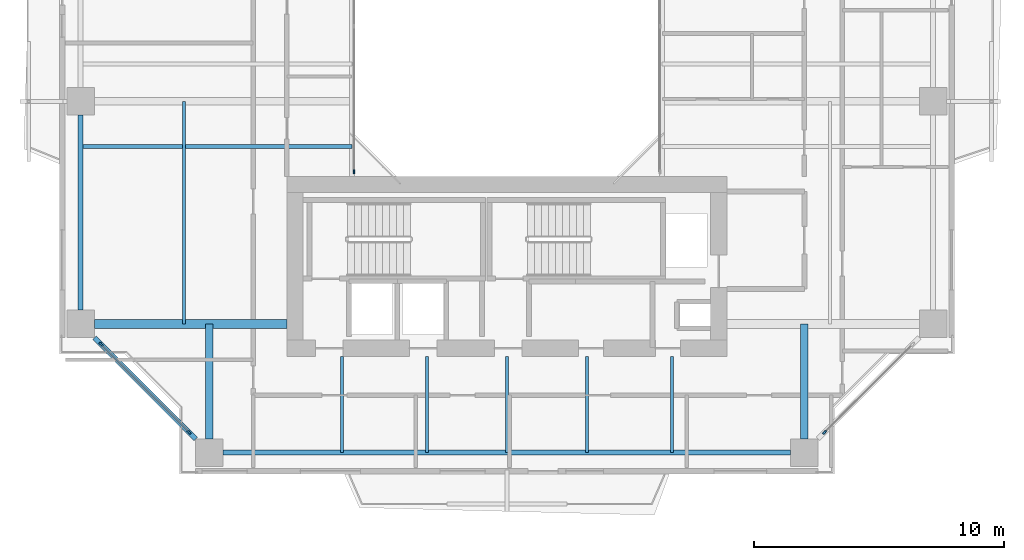
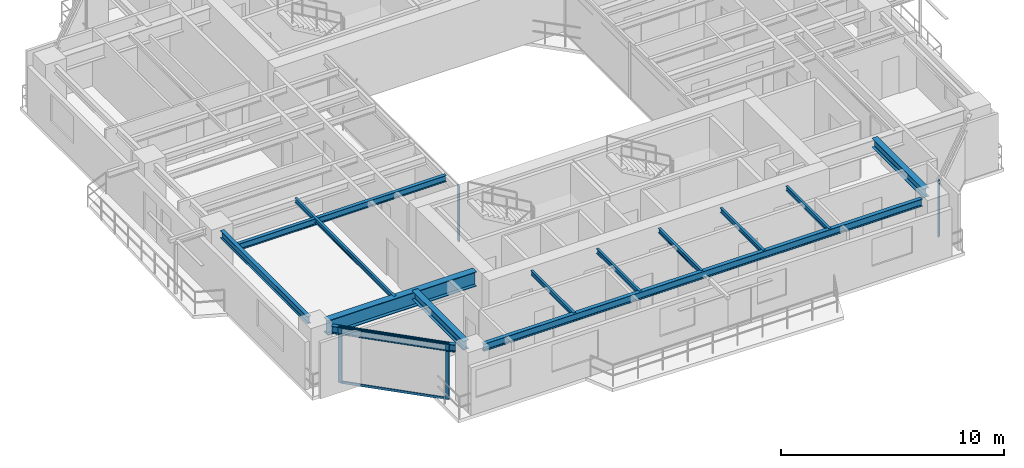
# One storey, part 2 of 17: 13 beams, 6 members, 3 elements without a shape of their own.
"""IFC4 building model written with IfcOpenShell, lengths in metres."""

from ifc_helpers import new_model, si_unit, direction, frame, origin, origin_2d, place, context, subcontext, project, spatial, rectangle, i_section, extrude, source, transform, mapped, material, layer, layer_set, material_profile, profile_set, type_object, element, aggregate, save


model = new_model("IFC4")

# Units and contexts
model_context = context("Model", 3, precision=1e-05, world=origin(), true_north=direction((0.0, 1.0)))
body_context = subcontext(model_context, "Body", "Model", "MODEL_VIEW")
ifc_project = project(units=[si_unit("LENGTHUNIT", "METRE"), si_unit("AREAUNIT", "SQUARE_METRE"), si_unit("VOLUMEUNIT", "CUBIC_METRE"), si_unit("PLANEANGLEUNIT", "RADIAN"), si_unit("MASSUNIT", "GRAM", prefix="KILO"), si_unit("THERMODYNAMICTEMPERATUREUNIT", "KELVIN"), si_unit("POWERUNIT", "WATT")], contexts=[model_context])

# Site, building, storey
site_placement = place(None, origin())
site = spatial("IfcSite", under=ifc_project, at=site_placement, CompositionType="ELEMENT")
building_placement = place(site_placement, origin())
building = spatial("IfcBuilding", under=site, at=building_placement, Name="Qiaomeng Ring Towers", CompositionType="ELEMENT")
storey_placement = place(building_placement, frame((0.0, 0.0, 116.5)))
storey = spatial("IfcBuildingStorey", under=building, at=storey_placement, Name="L33", CompositionType="ELEMENT", Elevation=116.5)

# Beams
ifc_material_1 = material(Name="Steel Q355B", Category="steel")
ifc_material_profile_1 = material_profile(ifc_material_1, i_section(OverallWidth=0.199951171875, OverallDepth=0.39990234375, WebThickness=0.008056640625, FlangeThickness=0.012939453125, FilletRadius=0.01611328125, at=origin_2d()), Name="HN 400x200x8x13")
ifc_profile_set_1 = profile_set([ifc_material_profile_1], Name="Steel Q355B")
beam_type_1 = type_object("IfcBeamType", Name="STR-BM-HN400", PredefinedType="SPANDREL", material=ifc_profile_set_1)
shared_shape_1 = source(origin(), body_context, "Body", "SweptSolid", [
    extrude(i_section(OverallWidth=0.199951171875, OverallDepth=0.39990234375, WebThickness=0.008056640625, FlangeThickness=0.012939453125, FilletRadius=0.01611328125, at=origin_2d()), origin(), (0.0, 0.0, 1.0), 22.7021484375),
])
beam_1_placement = place(storey_placement, frame((7.64892578125, 5.949951171875, 2.8701171875), z_axis=(1.0, 0.0, 0.0), x_axis=(0.0, 1.0, 0.0)))
element("IfcBeam", 1, at=beam_1_placement, inside=storey, type_object=beam_type_1, Name="L33 beam STR-SP-L33-T1-S1-S2", PredefinedType="SPANDREL", context=body_context, shape_type="MappedRepresentation", body=[
    mapped(shared_shape_1, transform((0.0, 0.0, 0.0), x_axis=(1.0, 0.0, 0.0), y_axis=(0.0, 1.0, 0.0), z_axis=(0.0, 0.0, 1.0), scale=1.0)),
])
shared_shape_2 = source(origin(), body_context, "Body", "SweptSolid", [
    extrude(i_section(OverallWidth=0.199951171875, OverallDepth=0.39990234375, WebThickness=0.008056640625, FlangeThickness=0.012939453125, FilletRadius=0.01611328125, at=origin_2d()), origin(), (0.0, 0.0, 1.0), 5.729736328125),
])
beam_2_placement = place(storey_placement, frame((2.499267578125, 10.55078125, 2.8701171875), z_axis=(0.707106781187, -0.707106781187, 0.0), x_axis=(0.707106781187, 0.707106781187, 0.0)))
element("IfcBeam", 2, at=beam_2_placement, inside=storey, type_object=beam_type_1, Name="L33 beam STR-SP-L33-T1-W1-S1", PredefinedType="SPANDREL", context=body_context, shape_type="MappedRepresentation", body=[
    mapped(shared_shape_2, transform((0.0, 0.0, 0.0), x_axis=(1.0, 0.0, 0.0), y_axis=(0.0, 1.0, 0.0), z_axis=(0.0, 0.0, 1.0), scale=1.0)),
])
shared_shape_3 = source(origin(), body_context, "Body", "SweptSolid", [
    extrude(i_section(OverallWidth=0.199951171875, OverallDepth=0.39990234375, WebThickness=0.008056640625, FlangeThickness=0.012939453125, FilletRadius=0.01611328125, at=origin_2d()), origin(), (0.0, 0.0, 1.0), 7.802001953125),
])
beam_3_placement = place(storey_placement, frame((1.949951171875, 19.450927734375, 2.8701171875), z_axis=(0.0, -1.0, 0.0), x_axis=(1.0, 0.0, 0.0)))
element("IfcBeam", 3, at=beam_3_placement, inside=storey, type_object=beam_type_1, Name="L33 beam STR-SP-L33-T1-W2-W1", PredefinedType="SPANDREL", context=body_context, shape_type="MappedRepresentation", body=[
    mapped(shared_shape_3, transform((0.0, 0.0, 0.0), x_axis=(1.0, 0.0, 0.0), y_axis=(0.0, 1.0, 0.0), z_axis=(0.0, 0.0, 1.0), scale=1.0)),
])
ifc_material_2 = material(Name="Steel Q390GJC", Category="steel")
ifc_material_profile_2 = material_profile(ifc_material_2, i_section(OverallWidth=0.35009765625, OverallDepth=0.800048828125, WebThickness=0.01611328125, FlangeThickness=0.028076171875, at=origin_2d()), Name="WH 800x350x16x28")
ifc_profile_set_2 = profile_set([ifc_material_profile_2], Name="Steel Q390GJC")
beam_type_2 = type_object("IfcBeamType", Name="STR-BM-WH800", PredefinedType="BEAM", material=ifc_profile_set_2)
shared_shape_4 = source(origin(), body_context, "Body", "SweptSolid", [
    extrude(i_section(OverallWidth=0.35009765625, OverallDepth=0.800048828125, WebThickness=0.01611328125, FlangeThickness=0.028076171875, at=origin_2d()), origin(), (0.0, 0.0, 1.0), 7.700927734375),
])
beam_4_placement = place(storey_placement, frame((2.4990234375, 11.10009765625, 2.669921875), z_axis=(1.0, 0.0, 0.0), x_axis=(0.0, 1.0, 0.0)))
element("IfcBeam", 4, at=beam_4_placement, inside=storey, type_object=beam_type_2, Name="L33 beam STR-BM-L33-T1-RAD-W1", PredefinedType="BEAM", context=body_context, shape_type="MappedRepresentation", body=[
    mapped(shared_shape_4, transform((0.0, 0.0, 0.0), x_axis=(1.0, 0.0, 0.0), y_axis=(0.0, 1.0, 0.0), z_axis=(0.0, 0.0, 1.0), scale=1.0)),
])
ifc_material_profile_3 = material_profile(ifc_material_1, i_section(OverallWidth=0.300048828125, OverallDepth=0.488037109375, WebThickness=0.010986328125, FlangeThickness=0.01806640625, FilletRadius=0.02587890625, at=origin_2d()), Name="HM 488x300x11x18")
ifc_profile_set_3 = profile_set([ifc_material_profile_3], Name="Steel Q355B")
beam_type_3 = type_object("IfcBeamType", Name="STR-BM-HM488", PredefinedType="BEAM", material=ifc_profile_set_3)
shared_shape_5 = source(origin(), body_context, "Body", "SweptSolid", [
    extrude(i_section(OverallWidth=0.300048828125, OverallDepth=0.488037109375, WebThickness=0.010986328125, FlangeThickness=0.01806640625, FilletRadius=0.02587890625, at=origin_2d()), origin(), (0.0, 0.0, 1.0), 4.60107421875),
])
for number, where, z_axis, x_axis, name in (
    (5, (7.10009765625, 6.4990234375, 2.825927734375), (0.0, 1.0, 0.0), (-1.0, 0.0, 0.0), "L33 beam STR-BM-L33-T1-RAD-S1"),
    (6, (30.89990234375, 6.4990234375, 2.825927734375), (0.0, 1.0, 0.0), (-1.0, 0.0, 0.0), "L33 beam STR-BM-L33-T1-RAD-S2"),
):
    element("IfcBeam", number, at=place(storey_placement, frame(where, z_axis=z_axis, x_axis=x_axis)), inside=storey, type_object=beam_type_3, Name=name, PredefinedType="BEAM", context=body_context, shape_type="MappedRepresentation", body=[
        mapped(shared_shape_5, transform((0.0, 0.0, 0.0), x_axis=(1.0, 0.0, 0.0), y_axis=(0.0, 1.0, 0.0), z_axis=(0.0, 0.0, 1.0), scale=1.0)),
    ])
ifc_material_profile_4 = material_profile(ifc_material_1, i_section(OverallWidth=0.125, OverallDepth=0.25, WebThickness=0.006103515625, FlangeThickness=0.009033203125, FilletRadius=0.011962890625, at=origin_2d()), Name="HN 250x125x6x9")
ifc_profile_set_4 = profile_set([ifc_material_profile_4], Name="Steel Q355B")
beam_type_4 = type_object("IfcBeamType", Name="STR-BM-HN250", PredefinedType="JOIST", material=ifc_profile_set_4)
shared_shape_6 = source(origin(), body_context, "Body", "SweptSolid", [
    extrude(i_section(OverallWidth=0.125, OverallDepth=0.25, WebThickness=0.006103515625, FlangeThickness=0.009033203125, FilletRadius=0.011962890625, at=origin_2d()), origin(), (0.0, 0.0, 1.0), 3.85009765625),
])
for number, where, z_axis, x_axis, name in (
    (7, (12.39990234375, 5.949951171875, 2.945068359375), (0.0, 1.0, 0.0), (-1.0, 0.0, 0.0), "L33 beam STR-JST-L33-T1S-1"),
    (8, (15.800048828125, 5.949951171875, 2.945068359375), (0.0, 1.0, 0.0), (-1.0, 0.0, 0.0), "L33 beam STR-JST-L33-T1S-2"),
    (9, (19.0, 5.949951171875, 2.945068359375), (0.0, 1.0, 0.0), (-1.0, 0.0, 0.0), "L33 beam STR-JST-L33-T1S-3"),
    (10, (22.199951171875, 5.949951171875, 2.945068359375), (0.0, 1.0, 0.0), (-1.0, 0.0, 0.0), "L33 beam STR-JST-L33-T1S-4"),
    (11, (25.60009765625, 5.949951171875, 2.945068359375), (0.0, 1.0, 0.0), (-1.0, 0.0, 0.0), "L33 beam STR-JST-L33-T1S-5"),
):
    element("IfcBeam", number, at=place(storey_placement, frame(where, z_axis=z_axis, x_axis=x_axis)), inside=storey, type_object=beam_type_4, Name=name, PredefinedType="JOIST", context=body_context, shape_type="MappedRepresentation", body=[
        mapped(shared_shape_6, transform((0.0, 0.0, 0.0), x_axis=(1.0, 0.0, 0.0), y_axis=(0.0, 1.0, 0.0), z_axis=(0.0, 0.0, 1.0), scale=1.0)),
    ])
ifc_material_profile_5 = material_profile(ifc_material_1, i_section(OverallWidth=0.175048828125, OverallDepth=0.35009765625, WebThickness=0.007080078125, FlangeThickness=0.010986328125, FilletRadius=0.013916015625, at=origin_2d()), Name="HN 350x175x7x11")
ifc_profile_set_5 = profile_set([ifc_material_profile_5], Name="Steel Q355B")
beam_type_5 = type_object("IfcBeamType", Name="STR-BM-HN350", PredefinedType="JOIST", material=ifc_profile_set_5)
shared_shape_7 = source(origin(), body_context, "Body", "SweptSolid", [
    extrude(i_section(OverallWidth=0.175048828125, OverallDepth=0.35009765625, WebThickness=0.007080078125, FlangeThickness=0.010986328125, FilletRadius=0.013916015625, at=origin_2d()), origin(), (0.0, 0.0, 1.0), 10.85009765625),
])
beam_5_placement = place(storey_placement, frame((1.949951171875, 18.199951171875, 2.89501953125), z_axis=(1.0, 0.0, 0.0), x_axis=(0.0, 1.0, 0.0)))
element("IfcBeam", 12, at=beam_5_placement, inside=storey, type_object=beam_type_5, Name="L33 beam STR-JST-L33-T1W-1", PredefinedType="JOIST", context=body_context, shape_type="MappedRepresentation", body=[
    mapped(shared_shape_7, transform((0.0, 0.0, 0.0), x_axis=(1.0, 0.0, 0.0), y_axis=(0.0, 1.0, 0.0), z_axis=(0.0, 0.0, 1.0), scale=1.0)),
])
shared_shape_8 = source(origin(), body_context, "Body", "SweptSolid", [
    extrude(i_section(OverallWidth=0.125, OverallDepth=0.25, WebThickness=0.006103515625, FlangeThickness=0.009033203125, FilletRadius=0.011962890625, at=origin_2d()), origin(), (0.0, 0.0, 1.0), 8.89990234375),
])
beam_6_placement = place(storey_placement, frame((6.074951171875, 11.10009765625, 2.945068359375), z_axis=(0.0, 1.0, 0.0), x_axis=(-1.0, 0.0, 0.0)))
element("IfcBeam", 13, at=beam_6_placement, inside=storey, type_object=beam_type_4, Name="L33 beam STR-JST-L33-T1C-WS", PredefinedType="JOIST", context=body_context, shape_type="MappedRepresentation", body=[
    mapped(shared_shape_8, transform((0.0, 0.0, 0.0), x_axis=(1.0, 0.0, 0.0), y_axis=(0.0, 1.0, 0.0), z_axis=(0.0, 0.0, 1.0), scale=1.0)),
])

# Curtain wall, member
ifc_material_3 = material(Name="Fluorocarbon dark-grey aluminium", Category="aluminium")
ifc_layer_1 = layer(ifc_material_3, 0.139892578125, Name="Fluorocarbon dark-grey aluminium")
ifc_layer_set_1 = layer_set([ifc_layer_1], Name="Fluorocarbon dark-grey aluminium")
curtain_wall_type_1 = type_object("IfcCurtainWallType", Name="ARC-CW-4", PredefinedType="NOTDEFINED", material=ifc_layer_set_1)
curtain_wall_1_placement = place(storey_placement, origin())
curtain_wall_1 = element("IfcCurtainWall", 14, at=curtain_wall_1_placement, inside=storey, type_object=curtain_wall_type_1, Name="L33 Curtain Wall CW4", PredefinedType="NOTDEFINED")
ifc_material_profile_6 = material_profile(ifc_material_3, rectangle(XDim=0.06494140625, YDim=0.159912109375, at=origin_2d()), Name="ALU MULL 65x160")
ifc_profile_set_6 = profile_set([ifc_material_profile_6], Name="Fluorocarbon dark-grey aluminium")
member_type_1 = type_object("IfcMemberType", Name="ARC-CWM-140", PredefinedType="MULLION", material=ifc_profile_set_6)
shared_shape_9 = source(origin(), body_context, "Body", "SweptSolid", [
    extrude(rectangle(XDim=0.06494140625, YDim=0.159912109375, at=origin_2d()), origin(), (0.0, 0.0, 1.0), 3.070068359375),
])
member_1_placement = place(storey_placement, frame((12.8798828125, 17.1826171875, 0.0), z_axis=(0.0, 0.0, 1.0), x_axis=(-1.0, 0.0, 0.0)))
member_1 = element("IfcMember", 15, at=member_1_placement, type_object=member_type_1, Name="CW4 mullion 1", PredefinedType="MULLION", context=body_context, shape_type="MappedRepresentation", body=[
    mapped(shared_shape_9, transform((0.0, 0.0, 0.0), x_axis=(1.0, 0.0, 0.0), y_axis=(0.0, 1.0, 0.0), z_axis=(0.0, 0.0, 1.0), scale=1.0)),
])
aggregate(curtain_wall_1, [member_1])

ifc_layer_2 = layer(ifc_material_3, 0.14990234375, Name="Fluorocarbon dark-grey aluminium")
ifc_layer_set_2 = layer_set([ifc_layer_2], Name="Fluorocarbon dark-grey aluminium")
curtain_wall_type_2 = type_object("IfcCurtainWallType", Name="ARC-CW-3", PredefinedType="NOTDEFINED", material=ifc_layer_set_2)
curtain_wall_2_placement = place(storey_placement, origin())
curtain_wall_2 = element("IfcCurtainWall", 16, at=curtain_wall_2_placement, inside=storey, type_object=curtain_wall_type_2, Name="L33 Curtain Wall CW3", PredefinedType="NOTDEFINED")
ifc_material_profile_7 = material_profile(ifc_material_3, rectangle(XDim=0.070068359375, YDim=0.179931640625, at=origin_2d()), Name="ALU MULL 70x180")
ifc_profile_set_7 = profile_set([ifc_material_profile_7], Name="Fluorocarbon dark-grey aluminium")
member_type_2 = type_object("IfcMemberType", Name="ARC-CWM-160", PredefinedType="MULLION", material=ifc_profile_set_7)
shared_shape_10 = source(origin(), body_context, "Body", "SweptSolid", [
    extrude(rectangle(XDim=0.070068359375, YDim=0.179931640625, at=origin_2d()), origin(), (0.0, 0.0, 1.0), 3.070068359375),
])
member_2_placement = place(storey_placement, frame((31.71484375, 6.7646484375, 0.0), z_axis=(0.0, 0.0, 1.0), x_axis=(-0.707106781187, 0.707106781187, 0.0)))
member_2 = element("IfcMember", 17, at=member_2_placement, type_object=member_type_2, Name="CW3 mullion 1", PredefinedType="MULLION", context=body_context, shape_type="MappedRepresentation", body=[
    mapped(shared_shape_10, transform((0.0, 0.0, 0.0), x_axis=(1.0, 0.0, 0.0), y_axis=(0.0, 1.0, 0.0), z_axis=(0.0, 0.0, 1.0), scale=1.0)),
])
aggregate(curtain_wall_2, [member_2])

# Curtain wall, members
curtain_wall_3_placement = place(storey_placement, origin())
curtain_wall_3 = element("IfcCurtainWall", 18, at=curtain_wall_3_placement, inside=storey, type_object=curtain_wall_type_2, Name="L33 Curtain Wall CW3", PredefinedType="NOTDEFINED")
member_3_placement = place(storey_placement, frame((2.7646484375, 10.28515625, 0.0), z_axis=(0.0, 0.0, 1.0), x_axis=(0.707106781187, 0.707106781187, 0.0)))
member_3 = element("IfcMember", 19, at=member_3_placement, type_object=member_type_2, Name="CW3 mullion 1", PredefinedType="MULLION", context=body_context, shape_type="MappedRepresentation", body=[
    mapped(shared_shape_10, transform((0.0, 0.0, 0.0), x_axis=(1.0, 0.0, 0.0), y_axis=(0.0, 1.0, 0.0), z_axis=(0.0, 0.0, 1.0), scale=1.0)),
])
member_4_placement = place(storey_placement, frame((6.28515625, 6.7646484375, 0.0), z_axis=(0.0, 0.0, 1.0), x_axis=(0.707106781187, 0.707106781187, 0.0)))
member_4 = element("IfcMember", 20, at=member_4_placement, type_object=member_type_2, Name="CW3 mullion 2", PredefinedType="MULLION", context=body_context, shape_type="MappedRepresentation", body=[
    mapped(shared_shape_10, transform((0.0, 0.0, 0.0), x_axis=(1.0, 0.0, 0.0), y_axis=(0.0, 1.0, 0.0), z_axis=(0.0, 0.0, 1.0), scale=1.0)),
])
ifc_material_profile_8 = material_profile(ifc_material_3, rectangle(XDim=0.06494140625, YDim=0.1298828125, at=origin_2d()), Name="ALU TRAN 65x130")
ifc_profile_set_8 = profile_set([ifc_material_profile_8], Name="Fluorocarbon dark-grey aluminium")
member_type_3 = type_object("IfcMemberType", Name="ARC-CWT-120", PredefinedType="USERDEFINED", material=ifc_profile_set_8)
shared_shape_11 = source(origin(), body_context, "Body", "SweptSolid", [
    extrude(rectangle(XDim=0.06494140625, YDim=0.1298828125, at=origin_2d()), origin(), (0.0, 0.0, 1.0), 4.90869140625),
])
member_5_placement = place(storey_placement, frame((2.78955078125, 10.260498046875, 0.032470703125), z_axis=(0.707106781187, -0.707106781187, 0.0), x_axis=(0.707106781187, 0.707106781187, 0.0)))
member_5 = element("IfcMember", 21, at=member_5_placement, type_object=member_type_3, Name="CW3 transom 1.1", ObjectType="TRANSOM", PredefinedType="USERDEFINED", context=body_context, shape_type="MappedRepresentation", body=[
    mapped(shared_shape_11, transform((0.0, 0.0, 0.0), x_axis=(1.0, 0.0, 0.0), y_axis=(0.0, 1.0, 0.0), z_axis=(0.0, 0.0, 1.0), scale=1.0)),
])
member_6_placement = place(storey_placement, frame((2.78955078125, 10.260498046875, 3.03759765625), z_axis=(0.707106781187, -0.707106781187, 0.0), x_axis=(0.707106781187, 0.707106781187, 0.0)))
member_6 = element("IfcMember", 22, at=member_6_placement, type_object=member_type_3, Name="CW3 transom 1.2", ObjectType="TRANSOM", PredefinedType="USERDEFINED", context=body_context, shape_type="MappedRepresentation", body=[
    mapped(shared_shape_11, transform((0.0, 0.0, 0.0), x_axis=(1.0, 0.0, 0.0), y_axis=(0.0, 1.0, 0.0), z_axis=(0.0, 0.0, 1.0), scale=1.0)),
])
aggregate(curtain_wall_3, [member_3, member_4, member_5, member_6])

save(model, "model.ifc")
